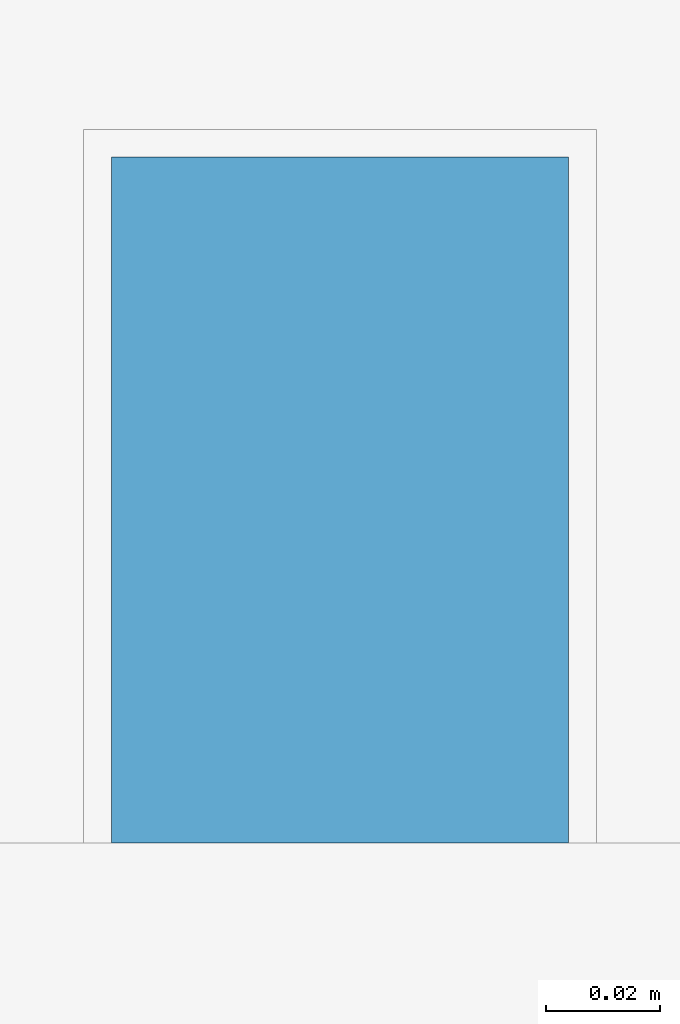
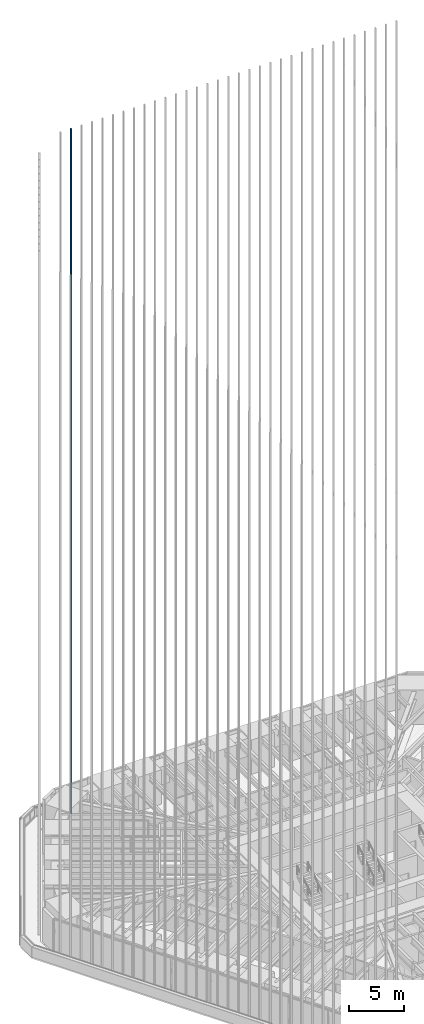
# One storey, part 151 of 238: 1 member, 1 element without a shape of its own.
"""IFC4 building model written with IfcOpenShell, lengths in metres."""

from ifc_helpers import new_model, si_unit, direction, frame, origin, origin_2d, place, context, subcontext, project, spatial, rectangle, extrude, material, material_profile, profile_set, type_object, element, aggregate, save


model = new_model("IFC4")

# Units and contexts
model_context = context("Model", 3, precision=1e-05, world=origin(), true_north=direction((0.0, 1.0)))
body_context = subcontext(model_context, "Body", "Model", "MODEL_VIEW")
ifc_project = project(units=[si_unit("LENGTHUNIT", "METRE"), si_unit("AREAUNIT", "SQUARE_METRE"), si_unit("VOLUMEUNIT", "CUBIC_METRE"), si_unit("PLANEANGLEUNIT", "RADIAN"), si_unit("MASSUNIT", "GRAM", prefix="KILO")], contexts=[model_context])

# Site, building, storey
site_placement = place(None, origin())
site = spatial("IfcSite", under=ifc_project, at=site_placement, CompositionType="ELEMENT")
building_placement = place(site_placement, origin())
building = spatial("IfcBuilding", under=site, at=building_placement, Name="Sandreach Pilgrim Tower", CompositionType="ELEMENT")
storey_placement = place(building_placement, frame((0.0, 0.0, 96.800048828125)))
storey = spatial("IfcBuildingStorey", under=building, at=storey_placement, Name="L23", CompositionType="ELEMENT", Elevation=96.800048828125)

# Curtain wall, member
ifc_material_1 = material(Name="Aluminium framed curtain wall", Category="aluminium")
curtain_wall_type = type_object("IfcCurtainWallType", Name="Hotel tower curtain wall", PredefinedType="NOTDEFINED", material=ifc_material_1)
curtain_wall_placement = place(storey_placement, origin())
curtain_wall = element("IfcCurtainWall", 1, at=curtain_wall_placement, inside=storey, type_object=curtain_wall_type, Name="CW-2 L23 N", PredefinedType="NOTDEFINED")
ifc_material_2 = material(Name="Extruded terracotta on aluminium core", Category="masonry")
ifc_material_profile = material_profile(ifc_material_2, rectangle(XDim=0.080078125, YDim=0.1201171875, at=origin_2d()), Name="TBN 80X120")
ifc_profile_set = profile_set([ifc_material_profile], Name="Extruded terracotta on aluminium core")
member_type = type_object("IfcMemberType", Name="Terracotta baguette north", PredefinedType="USERDEFINED", material=ifc_profile_set)
member_placement = place(storey_placement, frame((-16.490478515625, 22.853759765625, 0.0), z_axis=(0.0, 0.0, 1.0), x_axis=(1.0, 0.0, 0.0)))
member = element("IfcMember", 2, at=member_placement, type_object=member_type, Name="Baguette Z2 N02", ObjectType="BAGUETTE", PredefinedType="USERDEFINED", context=body_context, shape_type="SweptSolid", body=[
    extrude(rectangle(XDim=0.080078125, YDim=0.1201171875, at=origin_2d()), origin(), (0.0, 0.0, 1.0), 75.83984375),
])
aggregate(curtain_wall, [member])

save(model, "model.ifc")
